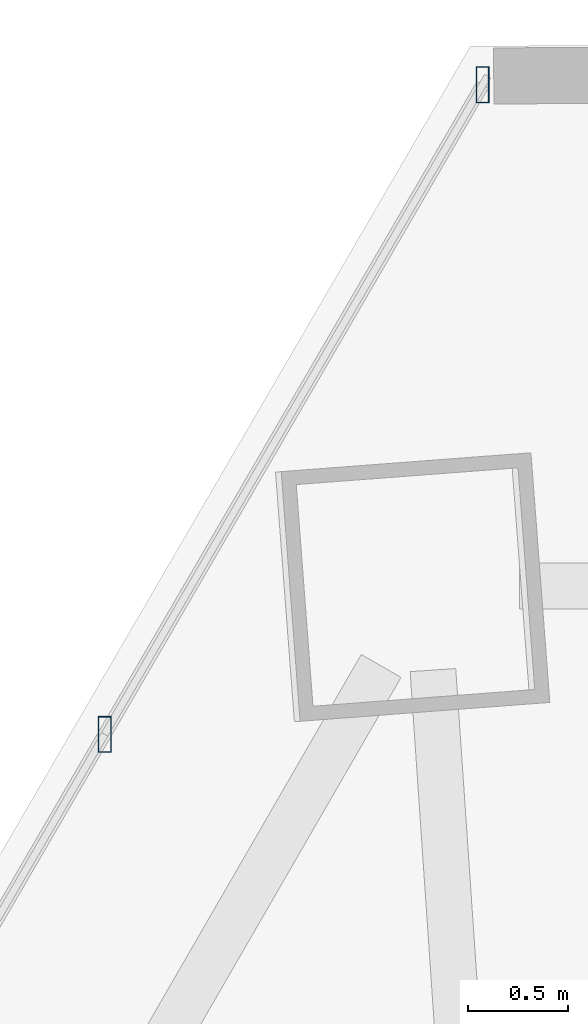
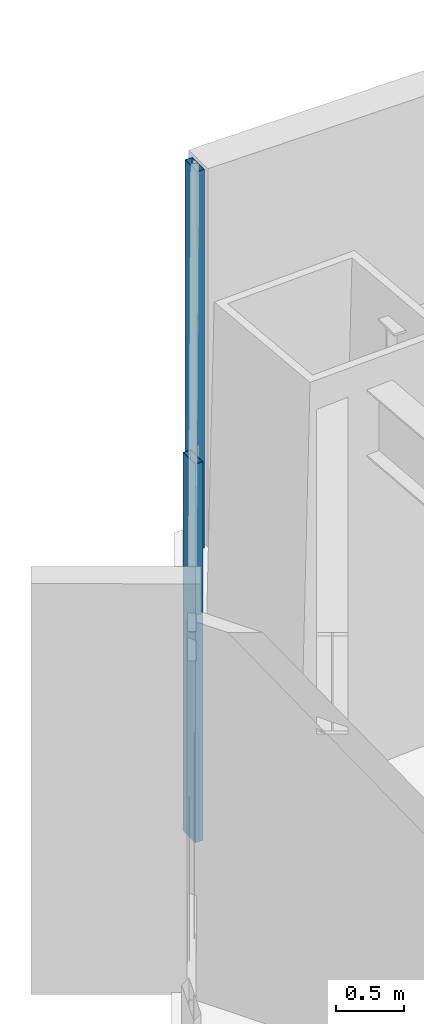
# One storey, part 25 of 35: 2 members, 1 element without a shape of its own.
"""IFC4 building model written with IfcOpenShell, lengths in metres."""

from ifc_helpers import new_model, si_unit, direction, frame, origin, origin_2d, place, context, subcontext, project, spatial, hollow_rectangle, extrude, source, transform, mapped, material, material_profile, profile_set, type_object, type_shapes, element, aggregate, save


model = new_model("IFC4")

# Units and contexts
model_context = context("Model", 3, precision=1e-05, world=origin(), true_north=direction((0.0, 1.0)))
body_context = subcontext(model_context, "Body", "Model", "MODEL_VIEW")
ifc_project = project(units=[si_unit("LENGTHUNIT", "METRE"), si_unit("AREAUNIT", "SQUARE_METRE"), si_unit("VOLUMEUNIT", "CUBIC_METRE"), si_unit("PLANEANGLEUNIT", "RADIAN"), si_unit("MASSUNIT", "GRAM", prefix="KILO")], contexts=[model_context])

# Site, building, storey
site_placement = place(None, origin())
site = spatial("IfcSite", under=ifc_project, at=site_placement, CompositionType="ELEMENT")
building_placement = place(site_placement, origin())
building = spatial("IfcBuilding", under=site, at=building_placement, Name="Caelisora Broadcast Tower", CompositionType="ELEMENT")
storey_placement = place(building_placement, frame((0.0, 0.0, 53.14990234375)))
storey = spatial("IfcBuildingStorey", under=building, at=storey_placement, Name="L13", CompositionType="ELEMENT", Elevation=53.14990234375)

# Curtain wall, members
ifc_material_1 = material(Name="Unitised Aluminium and Low-E Glass Curtain Wall", Category="glass")
curtain_wall_type = type_object("IfcCurtainWallType", Name="CW-Z1", PredefinedType="NOTDEFINED", material=ifc_material_1)
curtain_wall_placement = place(storey_placement, origin())
curtain_wall = element("IfcCurtainWall", 1, at=curtain_wall_placement, inside=storey, type_object=curtain_wall_type, Name="L13 curtain wall CW-Z1", PredefinedType="NOTDEFINED")
ifc_material_2 = material(Name="Aluminium 6063-T6 Anodised Terracotta Bronze", Category="aluminium")
ifc_material_profile = material_profile(ifc_material_2, hollow_rectangle(XDim=0.06494140625, YDim=0.179931640625, WallThickness=0.00341796875, at=origin_2d()), Name="Aluminium 6063-T6 Anodised Terracotta Bronze")
ifc_profile_set = profile_set([ifc_material_profile], Name="Aluminium 6063-T6 Anodised Terracotta Bronze")
member_type = type_object("IfcMemberType", Name="CWM-02", PredefinedType="MULLION", material=ifc_profile_set)
shared_shape = source(origin(), body_context, "Body", "SweptSolid", [
    extrude(hollow_rectangle(XDim=0.06494140625, YDim=0.179931640625, WallThickness=0.00341796875, at=origin_2d()), origin(), (0.0, 0.0, 1.0), 3.400146484375),
])
type_shapes(member_type, [shared_shape])
member_1_placement = place(storey_placement, frame((27.77587890625, 45.58349609375, 0.0), z_axis=(0.0, 0.0, 1.0), x_axis=(1.0, 0.0, 0.0)))
member_1 = element("IfcMember", 2, at=member_1_placement, type_object=member_type, Name="L13-CW-B11 mullion #2", PredefinedType="MULLION", context=body_context, shape_type="MappedRepresentation", body=[
    mapped(shared_shape, transform((0.0, 0.0, 0.0), scale=1.0)),
])
member_2_placement = place(storey_placement, frame((29.662841796875, 48.826904296875, 0.0), z_axis=(0.0, 0.0, 1.0), x_axis=(1.0, 0.0, 0.0)))
member_2 = element("IfcMember", 3, at=member_2_placement, type_object=member_type, Name="L13-CW-B11 mullion #3", PredefinedType="MULLION", context=body_context, shape_type="MappedRepresentation", body=[
    mapped(shared_shape, transform((0.0, 0.0, 0.0), scale=1.0)),
])
aggregate(curtain_wall, [member_1, member_2])

save(model, "model.ifc")
